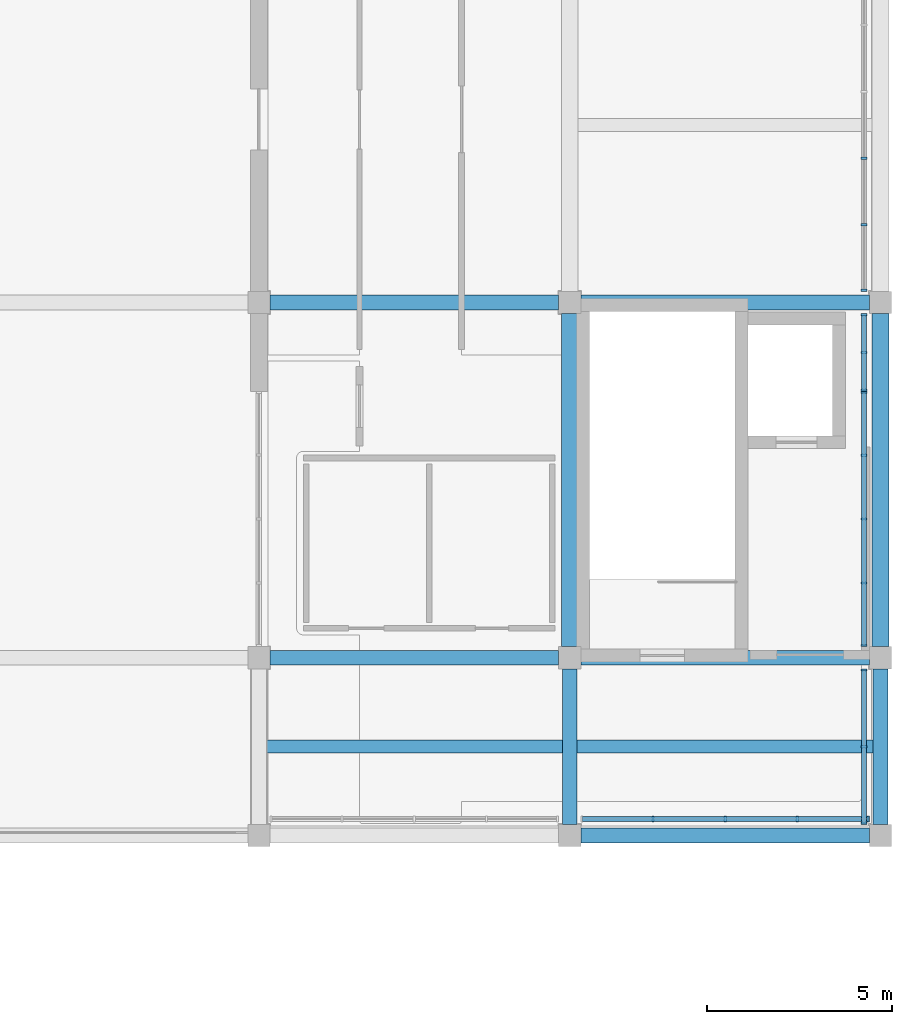
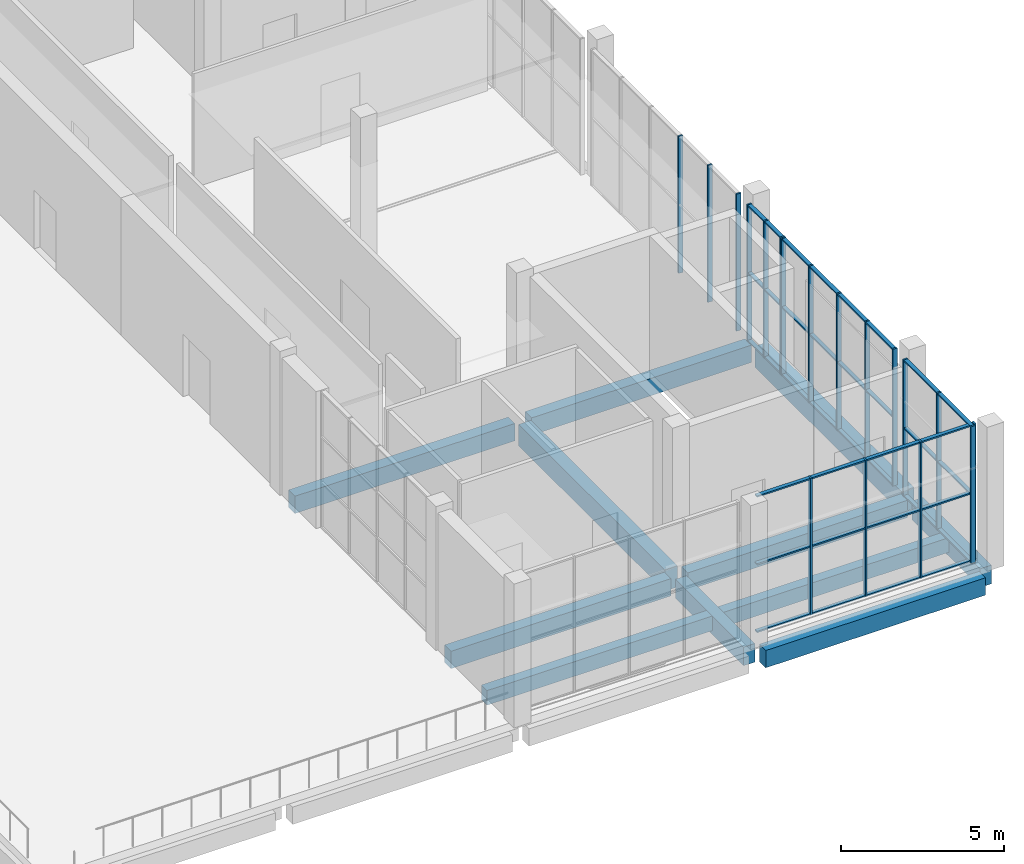
# One storey, part 3 of 15: 30 members, 11 beams, 5 elements without a shape of their own.
"""IFC4 building model written with IfcOpenShell, lengths in metres."""

from ifc_helpers import new_model, si_unit, direction, frame, origin, origin_2d, place, context, subcontext, project, spatial, rectangle, extrude, material, material_profile, profile_set, type_object, element, aggregate, save


model = new_model("IFC4")

# Units and contexts
model_context = context("Model", 3, precision=1e-05, world=origin(), true_north=direction((0.0, 1.0)))
body_context = subcontext(model_context, "Body", "Model", "MODEL_VIEW")
ifc_project = project(units=[si_unit("LENGTHUNIT", "METRE"), si_unit("AREAUNIT", "SQUARE_METRE"), si_unit("VOLUMEUNIT", "CUBIC_METRE"), si_unit("PLANEANGLEUNIT", "RADIAN"), si_unit("MASSUNIT", "GRAM", prefix="KILO")], contexts=[model_context])

# Site, building, storey
site_placement = place(None, origin())
site = spatial("IfcSite", under=ifc_project, at=site_placement, CompositionType="ELEMENT")
building_placement = place(site_placement, origin())
building = spatial("IfcBuilding", under=site, at=building_placement, Name="Shalvenor Court Art Gallery", CompositionType="ELEMENT")
storey_placement = place(building_placement, frame((0.0, 0.0, 27.0)))
storey = spatial("IfcBuildingStorey", under=building, at=storey_placement, Name="L05", CompositionType="ELEMENT", Elevation=27.0)

# Beams
ifc_material_1 = material(Name="Concrete C40/50", Category="concrete")
ifc_material_profile_1 = material_profile(ifc_material_1, rectangle(XDim=0.449951171875, YDim=0.800048828125, at=origin_2d()), Name="RC 450x800")
ifc_profile_set_1 = profile_set([ifc_material_profile_1], Name="Concrete C40/50")
beam_type_1 = type_object("IfcBeamType", Name="B-03", PredefinedType="BEAM", material=ifc_profile_set_1)
for number, where, z_axis, x_axis, name in (
    (1, (168.0, 50.699951171875, -0.699951171875), (0.0, 1.0, 0.0), (-1.0, 0.0, 0.0), "L05 Girder BM-L05-B-03-1289"),
    (2, (176.39990234375, 50.699951171875, -0.699951171875), (0.0, 1.0, 0.0), (-1.0, 0.0, 0.0), "L05 Girder BM-L05-B-03-1295"),
):
    element("IfcBeam", number, at=place(storey_placement, frame(where, z_axis=z_axis, x_axis=x_axis)), inside=storey, type_object=beam_type_1, Name=name, PredefinedType="BEAM", context=body_context, shape_type="SweptSolid", body=[
        extrude(rectangle(XDim=0.449951171875, YDim=0.800048828125, at=origin_2d()), origin(), (0.0, 0.0, 1.0), 9.0),
    ])
ifc_material_2 = material(Name="Concrete C40/50", Category="concrete")
ifc_material_profile_2 = material_profile(ifc_material_2, rectangle(XDim=0.39990234375, YDim=0.699951171875, at=origin_2d()), Name="RC 400x700")
ifc_profile_set_2 = profile_set([ifc_material_profile_2], Name="Concrete C40/50")
beam_type_2 = type_object("IfcBeamType", Name="B-05", PredefinedType="BEAM", material=ifc_profile_set_2)
for number, where, z_axis, x_axis, name in (
    (3, (168.0, 45.89990234375, -0.64990234375), (0.0, 1.0, 0.0), (-1.0, 0.0, 0.0), "L05 Girder BM-L05-B-05-1288"),
    (4, (176.39990234375, 45.89990234375, -0.64990234375), (0.0, 1.0, 0.0), (-1.0, 0.0, 0.0), "L05 Girder BM-L05-B-05-1294"),
):
    element("IfcBeam", number, at=place(storey_placement, frame(where, z_axis=z_axis, x_axis=x_axis)), inside=storey, type_object=beam_type_2, Name=name, PredefinedType="BEAM", context=body_context, shape_type="SweptSolid", body=[
        extrude(rectangle(XDim=0.39990234375, YDim=0.699951171875, at=origin_2d()), origin(), (0.0, 0.0, 1.0), 4.2001953125),
    ])
ifc_material_3 = material(Name="Concrete C40/50", Category="concrete")
ifc_material_profile_3 = material_profile(ifc_material_3, rectangle(XDim=0.39990234375, YDim=0.64990234375, at=origin_2d()), Name="RC 400x650")
ifc_profile_set_3 = profile_set([ifc_material_profile_3], Name="Concrete C40/50")
beam_type_3 = type_object("IfcBeamType", Name="B-06", PredefinedType="BEAM", material=ifc_profile_set_3)
for number, where, z_axis, x_axis, name in (
    (5, (168.300048828125, 45.60009765625, -0.625), (1.0, 0.0, 0.0), (0.0, 1.0, 0.0), "L05 Girder BM-L05-B-06-1303"),
    (6, (159.89990234375, 50.39990234375, -0.625), (1.0, 0.0, 0.0), (0.0, 1.0, 0.0), "L05 Girder BM-L05-B-06-1306"),
    (7, (168.300048828125, 50.39990234375, -0.625), (1.0, 0.0, 0.0), (0.0, 1.0, 0.0), "L05 Girder BM-L05-B-06-1307"),
    (8, (159.89990234375, 60.0, -0.625), (1.0, 0.0, 0.0), (0.0, 1.0, 0.0), "L05 Girder BM-L05-B-06-1310"),
    (9, (168.300048828125, 60.0, -0.625), (1.0, 0.0, 0.0), (0.0, 1.0, 0.0), "L05 Girder BM-L05-B-06-1311"),
):
    element("IfcBeam", number, at=place(storey_placement, frame(where, z_axis=z_axis, x_axis=x_axis)), inside=storey, type_object=beam_type_3, Name=name, PredefinedType="BEAM", context=body_context, shape_type="SweptSolid", body=[
        extrude(rectangle(XDim=0.39990234375, YDim=0.64990234375, at=origin_2d()), origin(), (0.0, 0.0, 1.0), 7.800048828125),
    ])

# Curtain wall, members
ifc_material_4 = material(Name="Anodised aluminium and low-iron glass curtain wall", Category="aluminium")
curtain_wall_type_1 = type_object("IfcCurtainWallType", Name="CW-CLR-5-90", PredefinedType="USERDEFINED", material=ifc_material_4)
curtain_wall_1_placement = place(storey_placement, origin())
curtain_wall_1 = element("IfcCurtainWall", 10, at=curtain_wall_1_placement, inside=storey, type_object=curtain_wall_type_1, Name="L05 Dark Clerestory Curtain Wall CW-L05-045", ObjectType="CURTAIN WALL", PredefinedType="USERDEFINED")
ifc_material_5 = material(Name="Dark anodised bronze aluminium mullion", Category="aluminium")
ifc_material_profile_4 = material_profile(ifc_material_5, rectangle(XDim=0.06005859375, YDim=0.159912109375, at=origin_2d()), Name="CWM-03")
ifc_profile_set_4 = profile_set([ifc_material_profile_4], Name="Dark anodised bronze aluminium mullion")
member_type_1 = type_object("IfcMemberType", Name="CWM-03", PredefinedType="MULLION", material=ifc_profile_set_4)
member_1_placement = place(storey_placement, frame((175.949951171875, 63.89990234375, 0.0), z_axis=(0.0, 0.0, 1.0), x_axis=(0.0, -1.0, 0.0)))
member_1 = element("IfcMember", 11, at=member_1_placement, type_object=member_type_1, Name="CW-CLR-5-90 mullion 4", PredefinedType="MULLION", context=body_context, shape_type="SweptSolid", body=[
    extrude(rectangle(XDim=0.06005859375, YDim=0.159912109375, at=origin_2d()), origin(), (0.0, 0.0, 1.0), 5.139892578125),
])
member_2_placement = place(storey_placement, frame((175.949951171875, 62.10009765625, 0.0), z_axis=(0.0, 0.0, 1.0), x_axis=(0.0, -1.0, 0.0)))
member_2 = element("IfcMember", 12, at=member_2_placement, type_object=member_type_1, Name="CW-CLR-5-90 mullion 5", PredefinedType="MULLION", context=body_context, shape_type="SweptSolid", body=[
    extrude(rectangle(XDim=0.06005859375, YDim=0.159912109375, at=origin_2d()), origin(), (0.0, 0.0, 1.0), 5.139892578125),
])
member_3_placement = place(storey_placement, frame((175.949951171875, 60.330078125, 0.0), z_axis=(0.0, 0.0, 1.0), x_axis=(0.0, -1.0, 0.0)))
member_3 = element("IfcMember", 13, at=member_3_placement, type_object=member_type_1, Name="CW-CLR-5-90 mullion 6", PredefinedType="MULLION", context=body_context, shape_type="SweptSolid", body=[
    extrude(rectangle(XDim=0.06005859375, YDim=0.159912109375, at=origin_2d()), origin(), (0.0, 0.0, 1.0), 5.139892578125),
])
aggregate(curtain_wall_1, [member_1, member_2, member_3])

ifc_material_6 = material(Name="Anodised aluminium and low-iron glass curtain wall", Category="aluminium")
curtain_wall_type_2 = type_object("IfcCurtainWallType", Name="CW-CLR-2-21", PredefinedType="USERDEFINED", material=ifc_material_6)
curtain_wall_2_placement = place(storey_placement, origin())
curtain_wall_2 = element("IfcCurtainWall", 14, at=curtain_wall_2_placement, inside=storey, type_object=curtain_wall_type_2, Name="L05 Dark Clerestory Curtain Wall CW-L05-046", ObjectType="CURTAIN WALL", PredefinedType="USERDEFINED")
member_4_placement = place(storey_placement, frame((175.949951171875, 59.669921875, 0.0), z_axis=(0.0, 0.0, 1.0), x_axis=(0.0, -1.0, 0.0)))
member_4 = element("IfcMember", 15, at=member_4_placement, type_object=member_type_1, Name="CW-CLR-2-21 mullion 1", PredefinedType="MULLION", context=body_context, shape_type="SweptSolid", body=[
    extrude(rectangle(XDim=0.06005859375, YDim=0.159912109375, at=origin_2d()), origin(), (0.0, 0.0, 1.0), 5.139892578125),
])
member_5_placement = place(storey_placement, frame((175.949951171875, 58.64990234375, 0.0), z_axis=(0.0, 0.0, 1.0), x_axis=(0.0, -1.0, 0.0)))
member_5 = element("IfcMember", 16, at=member_5_placement, type_object=member_type_1, Name="CW-CLR-2-21 mullion 2", PredefinedType="MULLION", context=body_context, shape_type="SweptSolid", body=[
    extrude(rectangle(XDim=0.06005859375, YDim=0.159912109375, at=origin_2d()), origin(), (0.0, 0.0, 1.0), 5.139892578125),
])
member_6_placement = place(storey_placement, frame((175.949951171875, 57.6298828125, 0.0), z_axis=(0.0, 0.0, 1.0), x_axis=(0.0, -1.0, 0.0)))
member_6 = element("IfcMember", 17, at=member_6_placement, type_object=member_type_1, Name="CW-CLR-2-21 mullion 3", PredefinedType="MULLION", context=body_context, shape_type="SweptSolid", body=[
    extrude(rectangle(XDim=0.06005859375, YDim=0.159912109375, at=origin_2d()), origin(), (0.0, 0.0, 1.0), 5.139892578125),
])

ifc_material_7 = material(Name="Anodised aluminium and low-iron glass curtain wall", Category="aluminium")
curtain_wall_type_3 = type_object("IfcCurtainWallType", Name="CW-CLR-4-69", PredefinedType="USERDEFINED", material=ifc_material_7)
curtain_wall_3_placement = place(storey_placement, origin())
curtain_wall_3 = element("IfcCurtainWall", 18, at=curtain_wall_3_placement, inside=storey, type_object=curtain_wall_type_3, Name="L05 Dark Clerestory Curtain Wall CW-L05-047", ObjectType="CURTAIN WALL", PredefinedType="USERDEFINED")
member_7_placement = place(storey_placement, frame((175.949951171875, 57.570068359375, 0.0), z_axis=(0.0, 0.0, 1.0), x_axis=(0.0, -1.0, 0.0)))
member_7 = element("IfcMember", 19, at=member_7_placement, type_object=member_type_1, Name="CW-CLR-4-69 mullion 1", PredefinedType="MULLION", context=body_context, shape_type="SweptSolid", body=[
    extrude(rectangle(XDim=0.06005859375, YDim=0.159912109375, at=origin_2d()), origin(), (0.0, 0.0, 1.0), 5.139892578125),
])
member_8_placement = place(storey_placement, frame((175.949951171875, 55.875, 0.0), z_axis=(0.0, 0.0, 1.0), x_axis=(0.0, -1.0, 0.0)))
member_8 = element("IfcMember", 20, at=member_8_placement, type_object=member_type_1, Name="CW-CLR-4-69 mullion 2", PredefinedType="MULLION", context=body_context, shape_type="SweptSolid", body=[
    extrude(rectangle(XDim=0.06005859375, YDim=0.159912109375, at=origin_2d()), origin(), (0.0, 0.0, 1.0), 5.139892578125),
])
member_9_placement = place(storey_placement, frame((175.949951171875, 54.14990234375, 0.0), z_axis=(0.0, 0.0, 1.0), x_axis=(0.0, -1.0, 0.0)))
member_9 = element("IfcMember", 21, at=member_9_placement, type_object=member_type_1, Name="CW-CLR-4-69 mullion 3", PredefinedType="MULLION", context=body_context, shape_type="SweptSolid", body=[
    extrude(rectangle(XDim=0.06005859375, YDim=0.159912109375, at=origin_2d()), origin(), (0.0, 0.0, 1.0), 5.139892578125),
])
member_10_placement = place(storey_placement, frame((175.949951171875, 52.425048828125, 0.0), z_axis=(0.0, 0.0, 1.0), x_axis=(0.0, -1.0, 0.0)))
member_10 = element("IfcMember", 22, at=member_10_placement, type_object=member_type_1, Name="CW-CLR-4-69 mullion 4", PredefinedType="MULLION", context=body_context, shape_type="SweptSolid", body=[
    extrude(rectangle(XDim=0.06005859375, YDim=0.159912109375, at=origin_2d()), origin(), (0.0, 0.0, 1.0), 5.139892578125),
])
member_11_placement = place(storey_placement, frame((175.949951171875, 50.72998046875, 0.0), z_axis=(0.0, 0.0, 1.0), x_axis=(0.0, -1.0, 0.0)))
member_11 = element("IfcMember", 23, at=member_11_placement, type_object=member_type_1, Name="CW-CLR-4-69 mullion 5", PredefinedType="MULLION", context=body_context, shape_type="SweptSolid", body=[
    extrude(rectangle(XDim=0.06005859375, YDim=0.159912109375, at=origin_2d()), origin(), (0.0, 0.0, 1.0), 5.139892578125),
])

ifc_material_8 = material(Name="Anodised aluminium and low-iron glass curtain wall", Category="aluminium")
curtain_wall_type_4 = type_object("IfcCurtainWallType", Name="CW-CLR-2-42", PredefinedType="USERDEFINED", material=ifc_material_8)
curtain_wall_4_placement = place(storey_placement, origin())
curtain_wall_4 = element("IfcCurtainWall", 24, at=curtain_wall_4_placement, inside=storey, type_object=curtain_wall_type_4, Name="L05 Dark Clerestory Curtain Wall CW-L05-048", ObjectType="CURTAIN WALL", PredefinedType="USERDEFINED")
member_12_placement = place(storey_placement, frame((175.949951171875, 50.070068359375, 0.0), z_axis=(0.0, 0.0, 1.0), x_axis=(0.0, -1.0, 0.0)))
member_12 = element("IfcMember", 25, at=member_12_placement, type_object=member_type_1, Name="CW-CLR-2-42 mullion 1", PredefinedType="MULLION", context=body_context, shape_type="SweptSolid", body=[
    extrude(rectangle(XDim=0.06005859375, YDim=0.159912109375, at=origin_2d()), origin(), (0.0, 0.0, 1.0), 5.139892578125),
])
member_13_placement = place(storey_placement, frame((175.949951171875, 48.0, 0.0), z_axis=(0.0, 0.0, 1.0), x_axis=(0.0, -1.0, 0.0)))
member_13 = element("IfcMember", 26, at=member_13_placement, type_object=member_type_1, Name="CW-CLR-2-42 mullion 2", PredefinedType="MULLION", context=body_context, shape_type="SweptSolid", body=[
    extrude(rectangle(XDim=0.06005859375, YDim=0.159912109375, at=origin_2d()), origin(), (0.0, 0.0, 1.0), 5.139892578125),
])
member_14_placement = place(storey_placement, frame((175.949951171875, 45.929931640625, 0.0), z_axis=(0.0, 0.0, 1.0), x_axis=(0.0, -1.0, 0.0)))
member_14 = element("IfcMember", 27, at=member_14_placement, type_object=member_type_1, Name="CW-CLR-2-42 mullion 3", PredefinedType="MULLION", context=body_context, shape_type="SweptSolid", body=[
    extrude(rectangle(XDim=0.06005859375, YDim=0.159912109375, at=origin_2d()), origin(), (0.0, 0.0, 1.0), 5.139892578125),
])

ifc_material_9 = material(Name="Anodised aluminium and low-iron glass curtain wall", Category="aluminium")
curtain_wall_type_5 = type_object("IfcCurtainWallType", Name="CW-CLR-4-78", PredefinedType="USERDEFINED", material=ifc_material_9)
curtain_wall_5_placement = place(storey_placement, origin())
curtain_wall_5 = element("IfcCurtainWall", 28, at=curtain_wall_5_placement, inside=storey, type_object=curtain_wall_type_5, Name="L05 Dark Clerestory Curtain Wall CW-L05-049", ObjectType="CURTAIN WALL", PredefinedType="USERDEFINED")
member_15_placement = place(storey_placement, frame((176.070068359375, 46.050048828125, 0.0), z_axis=(0.0, 0.0, 1.0), x_axis=(-1.0, 0.0, 0.0)))
member_15 = element("IfcMember", 29, at=member_15_placement, type_object=member_type_1, Name="CW-CLR-4-78 mullion 1", PredefinedType="MULLION", context=body_context, shape_type="SweptSolid", body=[
    extrude(rectangle(XDim=0.06005859375, YDim=0.159912109375, at=origin_2d()), origin(), (0.0, 0.0, 1.0), 5.139892578125),
])
member_16_placement = place(storey_placement, frame((174.14990234375, 46.050048828125, 0.0), z_axis=(0.0, 0.0, 1.0), x_axis=(-1.0, 0.0, 0.0)))
member_16 = element("IfcMember", 30, at=member_16_placement, type_object=member_type_1, Name="CW-CLR-4-78 mullion 2", PredefinedType="MULLION", context=body_context, shape_type="SweptSolid", body=[
    extrude(rectangle(XDim=0.06005859375, YDim=0.159912109375, at=origin_2d()), origin(), (0.0, 0.0, 1.0), 5.139892578125),
])
member_17_placement = place(storey_placement, frame((172.199951171875, 46.050048828125, 0.0), z_axis=(0.0, 0.0, 1.0), x_axis=(-1.0, 0.0, 0.0)))
member_17 = element("IfcMember", 31, at=member_17_placement, type_object=member_type_1, Name="CW-CLR-4-78 mullion 3", PredefinedType="MULLION", context=body_context, shape_type="SweptSolid", body=[
    extrude(rectangle(XDim=0.06005859375, YDim=0.159912109375, at=origin_2d()), origin(), (0.0, 0.0, 1.0), 5.139892578125),
])
member_18_placement = place(storey_placement, frame((170.25, 46.050048828125, 0.0), z_axis=(0.0, 0.0, 1.0), x_axis=(-1.0, 0.0, 0.0)))
member_18 = element("IfcMember", 32, at=member_18_placement, type_object=member_type_1, Name="CW-CLR-4-78 mullion 4", PredefinedType="MULLION", context=body_context, shape_type="SweptSolid", body=[
    extrude(rectangle(XDim=0.06005859375, YDim=0.159912109375, at=origin_2d()), origin(), (0.0, 0.0, 1.0), 5.139892578125),
])

# Member
ifc_material_10 = material(Name="Dark anodised bronze aluminium transom", Category="aluminium")
ifc_material_profile_5 = material_profile(ifc_material_10, rectangle(XDim=0.135009765625, YDim=0.054931640625, at=origin_2d()), Name="CWT-03")
ifc_profile_set_5 = profile_set([ifc_material_profile_5], Name="Dark anodised bronze aluminium transom")
member_type_2 = type_object("IfcMemberType", Name="CWT-03", PredefinedType="USERDEFINED", material=ifc_profile_set_5)
member_19_placement = place(storey_placement, frame((175.949951171875, 59.669921875, 0.027587890625), z_axis=(0.0, -1.0, 0.0), x_axis=(1.0, 0.0, 0.0)))
member_19 = element("IfcMember", 33, at=member_19_placement, type_object=member_type_2, Name="CW-CLR-2-21 transom 1", ObjectType="TRANSOM", PredefinedType="USERDEFINED", context=body_context, shape_type="SweptSolid", body=[
    extrude(rectangle(XDim=0.135009765625, YDim=0.054931640625, at=origin_2d()), origin(), (0.0, 0.0, 1.0), 2.0400390625),
])

member_20_placement = place(storey_placement, frame((175.949951171875, 59.669921875, 2.570068359375), z_axis=(0.0, -1.0, 0.0), x_axis=(1.0, 0.0, 0.0)))
member_20 = element("IfcMember", 34, at=member_20_placement, type_object=member_type_2, Name="CW-CLR-2-21 transom 2", ObjectType="TRANSOM", PredefinedType="USERDEFINED", context=body_context, shape_type="SweptSolid", body=[
    extrude(rectangle(XDim=0.135009765625, YDim=0.054931640625, at=origin_2d()), origin(), (0.0, 0.0, 1.0), 2.0400390625),
])

member_21_placement = place(storey_placement, frame((175.949951171875, 59.669921875, 5.112548828125), z_axis=(0.0, -1.0, 0.0), x_axis=(1.0, 0.0, 0.0)))
member_21 = element("IfcMember", 35, at=member_21_placement, type_object=member_type_2, Name="CW-CLR-2-21 transom 3", ObjectType="TRANSOM", PredefinedType="USERDEFINED", context=body_context, shape_type="SweptSolid", body=[
    extrude(rectangle(XDim=0.135009765625, YDim=0.054931640625, at=origin_2d()), origin(), (0.0, 0.0, 1.0), 2.0400390625),
])

aggregate(curtain_wall_2, [member_4, member_5, member_6, member_19, member_20, member_21])

member_22_placement = place(storey_placement, frame((175.949951171875, 57.570068359375, 0.027587890625), z_axis=(0.0, -1.0, 0.0), x_axis=(1.0, 0.0, 0.0)))
member_22 = element("IfcMember", 36, at=member_22_placement, type_object=member_type_2, Name="CW-CLR-4-69 transom 1", ObjectType="TRANSOM", PredefinedType="USERDEFINED", context=body_context, shape_type="SweptSolid", body=[
    extrude(rectangle(XDim=0.135009765625, YDim=0.054931640625, at=origin_2d()), origin(), (0.0, 0.0, 1.0), 6.840087890625),
])

member_23_placement = place(storey_placement, frame((175.949951171875, 57.570068359375, 2.570068359375), z_axis=(0.0, -1.0, 0.0), x_axis=(1.0, 0.0, 0.0)))
member_23 = element("IfcMember", 37, at=member_23_placement, type_object=member_type_2, Name="CW-CLR-4-69 transom 2", ObjectType="TRANSOM", PredefinedType="USERDEFINED", context=body_context, shape_type="SweptSolid", body=[
    extrude(rectangle(XDim=0.135009765625, YDim=0.054931640625, at=origin_2d()), origin(), (0.0, 0.0, 1.0), 6.840087890625),
])

member_24_placement = place(storey_placement, frame((175.949951171875, 57.570068359375, 5.112548828125), z_axis=(0.0, -1.0, 0.0), x_axis=(1.0, 0.0, 0.0)))
member_24 = element("IfcMember", 38, at=member_24_placement, type_object=member_type_2, Name="CW-CLR-4-69 transom 3", ObjectType="TRANSOM", PredefinedType="USERDEFINED", context=body_context, shape_type="SweptSolid", body=[
    extrude(rectangle(XDim=0.135009765625, YDim=0.054931640625, at=origin_2d()), origin(), (0.0, 0.0, 1.0), 6.840087890625),
])

aggregate(curtain_wall_3, [member_7, member_8, member_9, member_10, member_11, member_22, member_23, member_24])

member_25_placement = place(storey_placement, frame((175.949951171875, 50.070068359375, 0.027587890625), z_axis=(0.0, -1.0, 0.0), x_axis=(1.0, 0.0, 0.0)))
member_25 = element("IfcMember", 39, at=member_25_placement, type_object=member_type_2, Name="CW-CLR-2-42 transom 1", ObjectType="TRANSOM", PredefinedType="USERDEFINED", context=body_context, shape_type="SweptSolid", body=[
    extrude(rectangle(XDim=0.135009765625, YDim=0.054931640625, at=origin_2d()), origin(), (0.0, 0.0, 1.0), 4.14013671875),
])

member_26_placement = place(storey_placement, frame((175.949951171875, 50.070068359375, 2.570068359375), z_axis=(0.0, -1.0, 0.0), x_axis=(1.0, 0.0, 0.0)))
member_26 = element("IfcMember", 40, at=member_26_placement, type_object=member_type_2, Name="CW-CLR-2-42 transom 2", ObjectType="TRANSOM", PredefinedType="USERDEFINED", context=body_context, shape_type="SweptSolid", body=[
    extrude(rectangle(XDim=0.135009765625, YDim=0.054931640625, at=origin_2d()), origin(), (0.0, 0.0, 1.0), 4.14013671875),
])

member_27_placement = place(storey_placement, frame((175.949951171875, 50.070068359375, 5.112548828125), z_axis=(0.0, -1.0, 0.0), x_axis=(1.0, 0.0, 0.0)))
member_27 = element("IfcMember", 41, at=member_27_placement, type_object=member_type_2, Name="CW-CLR-2-42 transom 3", ObjectType="TRANSOM", PredefinedType="USERDEFINED", context=body_context, shape_type="SweptSolid", body=[
    extrude(rectangle(XDim=0.135009765625, YDim=0.054931640625, at=origin_2d()), origin(), (0.0, 0.0, 1.0), 4.14013671875),
])

aggregate(curtain_wall_4, [member_12, member_13, member_14, member_25, member_26, member_27])

member_28_placement = place(storey_placement, frame((176.070068359375, 46.050048828125, 0.027587890625), z_axis=(-1.0, 0.0, 0.0), x_axis=(0.0, -1.0, 0.0)))
member_28 = element("IfcMember", 42, at=member_28_placement, type_object=member_type_2, Name="CW-CLR-4-78 transom 1", ObjectType="TRANSOM", PredefinedType="USERDEFINED", context=body_context, shape_type="SweptSolid", body=[
    extrude(rectangle(XDim=0.135009765625, YDim=0.054931640625, at=origin_2d()), origin(), (0.0, 0.0, 1.0), 7.739990234375),
])

member_29_placement = place(storey_placement, frame((176.070068359375, 46.050048828125, 2.570068359375), z_axis=(-1.0, 0.0, 0.0), x_axis=(0.0, -1.0, 0.0)))
member_29 = element("IfcMember", 43, at=member_29_placement, type_object=member_type_2, Name="CW-CLR-4-78 transom 2", ObjectType="TRANSOM", PredefinedType="USERDEFINED", context=body_context, shape_type="SweptSolid", body=[
    extrude(rectangle(XDim=0.135009765625, YDim=0.054931640625, at=origin_2d()), origin(), (0.0, 0.0, 1.0), 7.739990234375),
])

member_30_placement = place(storey_placement, frame((176.070068359375, 46.050048828125, 5.112548828125), z_axis=(-1.0, 0.0, 0.0), x_axis=(0.0, -1.0, 0.0)))
member_30 = element("IfcMember", 44, at=member_30_placement, type_object=member_type_2, Name="CW-CLR-4-78 transom 3", ObjectType="TRANSOM", PredefinedType="USERDEFINED", context=body_context, shape_type="SweptSolid", body=[
    extrude(rectangle(XDim=0.135009765625, YDim=0.054931640625, at=origin_2d()), origin(), (0.0, 0.0, 1.0), 7.739990234375),
])

aggregate(curtain_wall_5, [member_15, member_16, member_17, member_18, member_28, member_29, member_30])

# Beams
ifc_material_11 = material(Name="Concrete C40/50", Category="concrete")
ifc_material_profile_6 = material_profile(ifc_material_11, rectangle(XDim=0.35009765625, YDim=0.550048828125, at=origin_2d()), Name="RC 350x550")
ifc_profile_set_6 = profile_set([ifc_material_profile_6], Name="Concrete C40/50")
beam_type_4 = type_object("IfcBeamType", Name="J-02", PredefinedType="JOIST", material=ifc_profile_set_6)
for number, where, z_axis, x_axis, name in (
    (45, (159.800048828125, 48.0, -0.574951171875), (1.0, 0.0, 0.0), (0.0, 1.0, 0.0), "L05 Secondary Beam JST-L05-J-02-1327"),
    (46, (168.199951171875, 48.0, -0.574951171875), (1.0, 0.0, 0.0), (0.0, 1.0, 0.0), "L05 Secondary Beam JST-L05-J-02-1330"),
):
    element("IfcBeam", number, at=place(storey_placement, frame(where, z_axis=z_axis, x_axis=x_axis)), inside=storey, type_object=beam_type_4, Name=name, PredefinedType="JOIST", context=body_context, shape_type="SweptSolid", body=[
        extrude(rectangle(XDim=0.35009765625, YDim=0.550048828125, at=origin_2d()), origin(), (0.0, 0.0, 1.0), 8.0),
    ])

save(model, "model.ifc")
